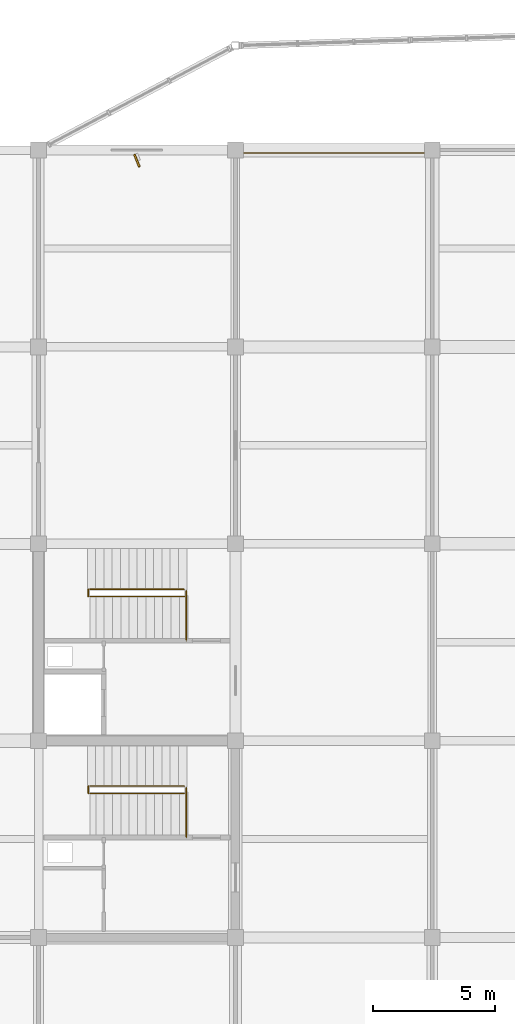
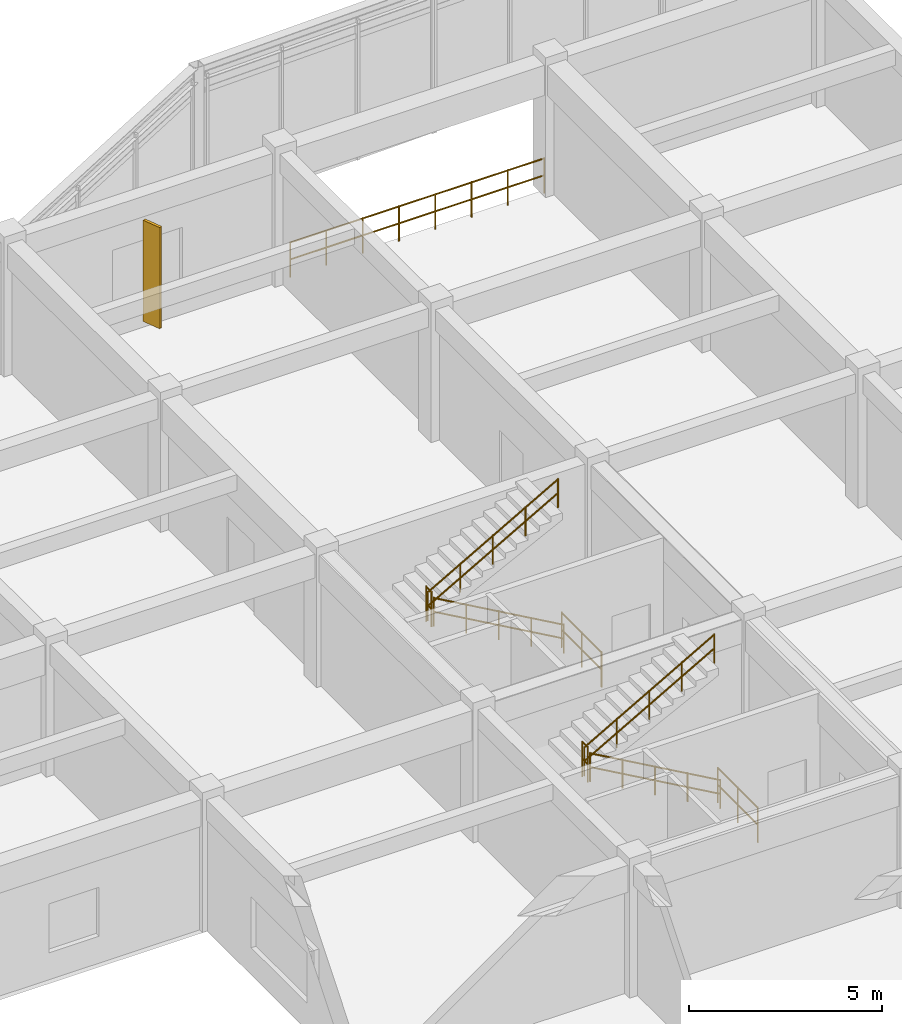
# One storey, part 42 of 42: 9 railings, 1 shading device.
"""IFC4 building model written with IfcOpenShell, lengths in metres."""

import ifcopenshell
import ifcopenshell.guid

model = None  # the IFC model being written
_history = None  # IfcOwnerHistory: only IFC2X3 demands one
_inside = {}  # id of a spatial element -> (the spatial element, [elements in it])
_under = {}  # id of a project, library or spatial element -> (it, [spatial elements below it])
_declared = {}  # id of a project -> (the project, [libraries it declares])
_typed = {}  # id of a type object -> (the type object, [elements of that type])
_made_of = {}  # id of a material, layer set ... -> (it, [elements and type objects made of it])


def new_model(schema):
    """Start an empty IFC model of exactly this schema.

    Asked for "IFC4X3", IfcOpenShell would pick the latest addendum, in which some entities
    have other attributes; the version numbers below select the first issue.
    IFC2X3 requires an IfcOwnerHistory on every rooted entity: one is made here for all.
    """
    global model, _history
    if schema == "IFC4X3":
        model = ifcopenshell.file(schema_version=(4, 3, 0, 0))
    else:
        model = ifcopenshell.file(schema=schema)
    _inside.clear()
    _under.clear()
    _declared.clear()
    _typed.clear()
    _made_of.clear()
    _history = None
    if model.schema == "IFC2X3":
        org = make("IfcOrganization", Name="unknown")
        user = make(
            "IfcPersonAndOrganization",
            ThePerson=make("IfcPerson", FamilyName="unknown"),
            TheOrganization=org,
        )
        app = make(
            "IfcApplication",
            ApplicationDeveloper=org,
            Version="unknown",
            ApplicationFullName="unknown",
            ApplicationIdentifier="unknown",
        )
        _history = make(
            "IfcOwnerHistory",
            OwningUser=user,
            OwningApplication=app,
            ChangeAction="ADDED",
            CreationDate=0,
        )
    return model


def make(cls, **values):
    """One entity of the class cls with the attributes given. An attribute that is None is left unset."""
    return model.create_entity(
        cls, **{name: value for name, value in values.items() if value is not None}
    )


def rooted(cls, **values):
    """An entity with a GlobalId (a new one), such as an element, a storey or a relation."""
    return make(cls, GlobalId=ifcopenshell.guid.new(), OwnerHistory=_history, **values)


def si_unit(unit_type, name, prefix=None):
    """IfcSIUnit, for example si_unit("LENGTHUNIT", "METRE", prefix="MILLI")."""
    return make("IfcSIUnit", UnitType=unit_type, Prefix=prefix, Name=name)


def assignment(units):
    """IfcUnitAssignment: the units of a project."""
    return None if units is None else make("IfcUnitAssignment", Units=units)


def point(xyz):
    """IfcCartesianPoint."""
    return None if xyz is None else make("IfcCartesianPoint", Coordinates=xyz)


def direction(xyz):
    """IfcDirection."""
    return None if xyz is None else make("IfcDirection", DirectionRatios=xyz)


def frame(location, z_axis=None, x_axis=None):
    """IfcAxis2Placement3D, a coordinate frame: its origin and axes. An axis left out is left unset."""
    return make(
        "IfcAxis2Placement3D",
        Location=point(location),
        Axis=direction(z_axis),
        RefDirection=direction(x_axis),
    )


def frame_2d(location, x_axis=None):
    """IfcAxis2Placement2D, a coordinate frame in the plane: its origin and x axis."""
    return make(
        "IfcAxis2Placement2D", Location=point(location), RefDirection=direction(x_axis)
    )


def origin():
    """The frame at (0, 0, 0) with its axes left unset."""
    return frame((0.0, 0.0, 0.0))


def origin_2d():
    """The frame at (0, 0) in the plane with its x axis left unset."""
    return frame_2d((0.0, 0.0))


def place(relative_to, where):
    """IfcLocalPlacement: puts the frame where relative to a parent placement (None: the world)."""
    return make(
        "IfcLocalPlacement", PlacementRelTo=relative_to, RelativePlacement=where
    )


def context(
    kind, dimensions, precision=None, world=None, true_north=None, identifier=None
):
    """IfcGeometricRepresentationContext, for example the 3D "Model" context."""
    return make(
        "IfcGeometricRepresentationContext",
        ContextIdentifier=identifier,
        ContextType=kind,
        CoordinateSpaceDimension=dimensions,
        Precision=precision,
        WorldCoordinateSystem=world,
        TrueNorth=true_north,
    )


def subcontext(parent, identifier, kind, view, scale=None):
    """IfcGeometricRepresentationSubContext, for example "Body" below "Model"."""
    return make(
        "IfcGeometricRepresentationSubContext",
        ContextIdentifier=identifier,
        ContextType=kind,
        ParentContext=parent,
        TargetScale=scale,
        TargetView=view,
    )


def project(units=None, contexts=None):
    """IfcProject with its units and contexts."""
    return rooted(
        "IfcProject",
        Name="project",
        RepresentationContexts=contexts,
        UnitsInContext=assignment(units),
    )


def spatial(cls, under=None, at=None, **own):
    """A site, building, storey or space (cls), placed at a placement, below another one or the project."""
    s = rooted(cls, ObjectPlacement=at, **own)
    if under is not None:
        _under.setdefault(under.id(), (under, []))[1].append(s)
    return s


def profile(cls, at=None, kind="AREA", **sizes):
    """A parametric profile (cls). Its sizes go by their IFC names, for example OverallWidth=200.0."""
    return make(cls, ProfileType=kind, Position=at, **sizes)


def rectangle(**sizes):
    """IfcRectangleProfileDef."""
    return profile("IfcRectangleProfileDef", **sizes)


def circle(**sizes):
    """IfcCircleProfileDef."""
    return profile("IfcCircleProfileDef", **sizes)


def extrude(swept, where, along, depth):
    """IfcExtrudedAreaSolid: the profile swept, set in the frame where, extruded along a direction by depth."""
    return make(
        "IfcExtrudedAreaSolid",
        SweptArea=swept,
        Position=where,
        ExtrudedDirection=direction(along),
        Depth=depth,
    )


def shape(context_of_items, identifier, shape_type, items):
    """IfcShapeRepresentation: the items that make up one representation, for example the "Body"."""
    return make(
        "IfcShapeRepresentation",
        ContextOfItems=context_of_items,
        RepresentationIdentifier=identifier,
        RepresentationType=shape_type,
        Items=items,
    )


def material(Name=None, Category=None):
    """IfcMaterial."""
    return make("IfcMaterial", Name=Name, Category=Category)


def made_of(thing, what):
    """Note that an element or type object is made of a material, layer set ...; save() writes the relation."""
    if what is not None:
        _made_of.setdefault(what.id(), (what, []))[1].append(thing)
    return thing


def type_object(cls, material=None, **own):
    """A type object (cls), such as IfcWallType, which elements share."""
    return made_of(rooted(cls, **own), material)


def element(
    cls,
    number,
    at=None,
    inside=None,
    cuts=None,
    type_object=None,
    material=None,
    context=None,
    identifier="Body",
    shape_type=None,
    held_by="IfcProductDefinitionShape",
    body=None,
    shapes=None,
    **own,
):
    """One element of the class cls, such as IfcWall. Its Tag is "e" and its number.

    at: its placement. inside: the storey or other place that contains it. cuts: it is an
    opening in that element (IfcRelVoidsElement). A single representation is given by context,
    identifier, shape_type and body (its items); several are given by shapes. held_by: the class
    of the entity that holds the representations. save() writes the other relations.
    """
    e = rooted(cls, Tag="e%d" % number, ObjectPlacement=at, **own)
    if body is not None:
        shapes = [shape(context, identifier, shape_type, body)]
    if shapes is not None:
        e.Representation = make(held_by, Representations=shapes)
    if inside is not None:
        _inside.setdefault(inside.id(), (inside, []))[1].append(e)
    if cuts is not None:
        rooted(
            "IfcRelVoidsElement", RelatingBuildingElement=cuts, RelatedOpeningElement=e
        )
    if type_object is not None:
        _typed.setdefault(type_object.id(), (type_object, []))[1].append(e)
    return made_of(e, material)


def aggregate(whole, parts):
    """IfcRelAggregates: a whole, such as a stair, and the parts it consists of."""
    return rooted("IfcRelAggregates", RelatingObject=whole, RelatedObjects=parts)


def save(model, path):
    """Write the relations noted so far, then the file.

    IfcRelAggregates (storeys below a building ...), IfcRelContainedInSpatialStructure (elements
    in a storey), IfcRelDefinesByType, IfcRelAssociatesMaterial and IfcRelDeclares: one each for
    every whole, place, type object, material and project.
    """
    for whole, parts in _under.values():
        aggregate(whole, parts)
    for where, things in _inside.values():
        rooted(
            "IfcRelContainedInSpatialStructure",
            RelatedElements=things,
            RelatingStructure=where,
        )
    for kind, things in _typed.values():
        rooted("IfcRelDefinesByType", RelatedObjects=things, RelatingType=kind)
    for what, things in _made_of.values():
        rooted("IfcRelAssociatesMaterial", RelatedObjects=things, RelatingMaterial=what)
    for by, libraries in _declared.values():
        rooted("IfcRelDeclares", RelatingContext=by, RelatedDefinitions=libraries)
    model.write(path)


model = new_model("IFC4")

# Units and contexts
model_context = context("Model", 3, precision=1e-05, world=origin(), true_north=direction((0.0, 1.0)))
body_context = subcontext(model_context, "Body", "Model", "MODEL_VIEW")
ifc_project = project(units=[si_unit("LENGTHUNIT", "METRE"), si_unit("AREAUNIT", "SQUARE_METRE"), si_unit("VOLUMEUNIT", "CUBIC_METRE"), si_unit("PLANEANGLEUNIT", "RADIAN"), si_unit("MASSUNIT", "GRAM", prefix="KILO")], contexts=[model_context])

# Site, building, storey
site_placement = place(None, origin())
site = spatial("IfcSite", under=ifc_project, at=site_placement, CompositionType="ELEMENT")
building_placement = place(site_placement, origin())
building = spatial("IfcBuilding", under=site, at=building_placement, Name="Vaudrelin Polytechnic", CompositionType="ELEMENT")
storey_placement = place(building_placement, frame((0.0, 0.0, 18.530029296875)))
storey = spatial("IfcBuildingStorey", under=building, at=storey_placement, Name="L04", CompositionType="ELEMENT", Elevation=18.530029296875)

# Shading device
ifc_material_1 = material(Name="Anodised perforated aluminium AA 5005", Category="aluminium")
shading_device_type = type_object("IfcShadingDeviceType", Name="ENV-SF-FIN1", PredefinedType="USERDEFINED", material=ifc_material_1)
shading_device_placement = place(storey_placement, frame((149.85009765625, 121.06494140625, 0.2001953125), z_axis=(0.0, 0.0, 1.0), x_axis=(0.374606593416, -0.927183854567, 0.0)))
element("IfcShadingDevice", 1, at=shading_device_placement, inside=storey, type_object=shading_device_type, Name="Perforated solar fin SF-034", ObjectType="SOLAR FIN", PredefinedType="USERDEFINED", context=body_context, shape_type="SweptSolid", body=[
    extrude(rectangle(XDim=0.550048828125, YDim=0.080078125, at=origin_2d()), origin(), (0.0, 0.0, 1.0), 3.199951171875),
])

# Railings
ifc_material_2 = material(Name="Brushed stainless steel AISI 304", Category="steel")
railing_type_1 = type_object("IfcRailingType", Name="RAL-GR-INT", PredefinedType="GUARDRAIL", material=ifc_material_2)
railing_1_placement = place(storey_placement, frame((151.8798828125, 101.31005859375, 0.0)))
element("IfcRailing", 2, at=railing_1_placement, inside=storey, type_object=railing_type_1, Name="ST-06-L03 upper well guardrail", PredefinedType="GUARDRAIL", context=body_context, shape_type="SweptSolid", body=[
    extrude(circle(Radius=0.02392578125, at=origin_2d()), frame((0.0, 0.023193359375, 1.09619140625), z_axis=(0.0, 1.0, 0.0), x_axis=(-1.0, 0.0, 0.0)), (0.0, 0.0, 1.0), 2.023681640625),
    extrude(circle(Radius=0.02392578125, at=origin_2d()), frame((0.0, 0.023193359375, 0.56005859375), z_axis=(0.0, 1.0, 0.0), x_axis=(-1.0, 0.0, 0.0)), (0.0, 0.0, 1.0), 2.023681640625),
    extrude(circle(Radius=0.02099609375, at=origin_2d()), origin(), (0.0, 0.0, 1.0), 1.1201171875),
    extrude(circle(Radius=0.02099609375, at=origin_2d()), frame((0.0, 1.034912109375, 0.0)), (0.0, 0.0, 1.0), 1.1201171875),
    extrude(circle(Radius=0.02099609375, at=origin_2d()), frame((0.0, 2.06982421875, 0.0)), (0.0, 0.0, 1.0), 1.1201171875),
])
railing_2_placement = place(storey_placement, frame((147.85009765625, 103.139892578125, 2.2099609375)))
element("IfcRailing", 3, at=railing_2_placement, inside=storey, type_object=railing_type_1, Name="ST-06-L04 landing well guardrail", PredefinedType="GUARDRAIL", context=body_context, shape_type="SweptSolid", body=[
    extrude(circle(Radius=0.02392578125, at=origin_2d()), frame((0.0, 0.023193359375, 1.09619140625), z_axis=(0.0, 1.0, 0.0), x_axis=(-1.0, 0.0, 0.0)), (0.0, 0.0, 1.0), 0.23388671875),
    extrude(circle(Radius=0.02392578125, at=origin_2d()), frame((0.0, 0.023193359375, 0.56005859375), z_axis=(0.0, 1.0, 0.0), x_axis=(-1.0, 0.0, 0.0)), (0.0, 0.0, 1.0), 0.23388671875),
    extrude(circle(Radius=0.02099609375, at=origin_2d()), origin(), (0.0, 0.0, 1.0), 1.1201171875),
    extrude(circle(Radius=0.02099609375, at=origin_2d()), frame((0.0, 0.280029296875, 0.0)), (0.0, 0.0, 1.0), 1.1201171875),
])
railing_3_placement = place(storey_placement, frame((151.8798828125, 93.2099609375, 0.0)))
element("IfcRailing", 4, at=railing_3_placement, inside=storey, type_object=railing_type_1, Name="ST-13-L03 upper well guardrail", PredefinedType="GUARDRAIL", context=body_context, shape_type="SweptSolid", body=[
    extrude(circle(Radius=0.02392578125, at=origin_2d()), frame((0.0, 0.023193359375, 1.09619140625), z_axis=(0.0, 1.0, 0.0), x_axis=(-1.0, 0.0, 0.0)), (0.0, 0.0, 1.0), 2.02392578125),
    extrude(circle(Radius=0.02392578125, at=origin_2d()), frame((0.0, 0.023193359375, 0.56005859375), z_axis=(0.0, 1.0, 0.0), x_axis=(-1.0, 0.0, 0.0)), (0.0, 0.0, 1.0), 2.02392578125),
    extrude(circle(Radius=0.02099609375, at=origin_2d()), origin(), (0.0, 0.0, 1.0), 1.1201171875),
    extrude(circle(Radius=0.02099609375, at=origin_2d()), frame((0.0, 1.03515625, 0.0)), (0.0, 0.0, 1.0), 1.1201171875),
    extrude(circle(Radius=0.02099609375, at=origin_2d()), frame((0.0, 2.070068359375, 0.0)), (0.0, 0.0, 1.0), 1.1201171875),
])
railing_4_placement = place(storey_placement, frame((147.85009765625, 95.0400390625, 2.2099609375)))
element("IfcRailing", 5, at=railing_4_placement, inside=storey, type_object=railing_type_1, Name="ST-13-L04 landing well guardrail", PredefinedType="GUARDRAIL", context=body_context, shape_type="SweptSolid", body=[
    extrude(circle(Radius=0.02392578125, at=origin_2d()), frame((0.0, 0.023193359375, 1.09619140625), z_axis=(0.0, 1.0, 0.0), x_axis=(-1.0, 0.0, 0.0)), (0.0, 0.0, 1.0), 0.23388671875),
    extrude(circle(Radius=0.02392578125, at=origin_2d()), frame((0.0, 0.023193359375, 0.56005859375), z_axis=(0.0, 1.0, 0.0), x_axis=(-1.0, 0.0, 0.0)), (0.0, 0.0, 1.0), 0.23388671875),
    extrude(circle(Radius=0.02099609375, at=origin_2d()), origin(), (0.0, 0.0, 1.0), 1.1201171875),
    extrude(circle(Radius=0.02099609375, at=origin_2d()), frame((0.0, 0.280029296875, 0.0)), (0.0, 0.0, 1.0), 1.1201171875),
])
railing_5_placement = place(storey_placement, frame((154.14990234375, 121.3798828125, 0.0)))
element("IfcRailing", 6, at=railing_5_placement, inside=storey, type_object=railing_type_1, Name="NE innovation prow atrium overlook guardrail L04", PredefinedType="GUARDRAIL", context=body_context, shape_type="SweptSolid", body=[
    extrude(circle(Radius=0.02392578125, at=origin_2d()), frame((0.023193359375, 0.0, 1.09619140625), z_axis=(1.0, 0.0, 0.0), x_axis=(0.0, 1.0, 0.0)), (0.0, 0.0, 1.0), 7.553955078125),
    extrude(circle(Radius=0.02392578125, at=origin_2d()), frame((0.023193359375, 0.0, 0.56005859375), z_axis=(1.0, 0.0, 0.0), x_axis=(0.0, 1.0, 0.0)), (0.0, 0.0, 1.0), 7.553955078125),
    extrude(circle(Radius=0.02099609375, at=origin_2d()), origin(), (0.0, 0.0, 1.0), 1.1201171875),
    extrude(circle(Radius=0.02099609375, at=origin_2d()), frame((1.085693359375, 0.0, 0.0)), (0.0, 0.0, 1.0), 1.1201171875),
    extrude(circle(Radius=0.02099609375, at=origin_2d()), frame((2.17138671875, 0.0, 0.0)), (0.0, 0.0, 1.0), 1.1201171875),
    extrude(circle(Radius=0.02099609375, at=origin_2d()), frame((3.257080078125, 0.0, 0.0)), (0.0, 0.0, 1.0), 1.1201171875),
    extrude(circle(Radius=0.02099609375, at=origin_2d()), frame((4.343017578125, 0.0, 0.0)), (0.0, 0.0, 1.0), 1.1201171875),
    extrude(circle(Radius=0.02099609375, at=origin_2d()), frame((5.4287109375, 0.0, 0.0)), (0.0, 0.0, 1.0), 1.1201171875),
    extrude(circle(Radius=0.02099609375, at=origin_2d()), frame((6.514404296875, 0.0, 0.0)), (0.0, 0.0, 1.0), 1.1201171875),
    extrude(circle(Radius=0.02099609375, at=origin_2d()), frame((7.60009765625, 0.0, 0.0)), (0.0, 0.0, 1.0), 1.1201171875),
])
railing_type_2 = type_object("IfcRailingType", Name="RAL-HR-STR", PredefinedType="HANDRAIL", material=ifc_material_2)
railing_6_placement = place(storey_placement, frame((151.800048828125, 103.1298828125, 0.0)))
element("IfcRailing", 7, at=railing_6_placement, inside=storey, type_object=railing_type_2, Name="ST-06-L04 flight 1 handrail", PredefinedType="HANDRAIL", context=body_context, shape_type="SweptSolid", body=[
    extrude(circle(Radius=0.02392578125, at=origin_2d()), frame((-0.02001953125, 0.0, 0.9072265625), z_axis=(-0.869489581884, 0.0, 0.493951279981), x_axis=(0.0, -1.0, 0.0)), (0.0, 0.0, 1.0), 4.427734375),
    extrude(circle(Radius=0.02392578125, at=origin_2d()), frame((-0.02001953125, 0.0, 0.471435546875), z_axis=(-0.869489581884, 0.0, 0.493951279981), x_axis=(0.0, -1.0, 0.0)), (0.0, 0.0, 1.0), 4.427734375),
    extrude(circle(Radius=0.02099609375, at=origin_2d()), origin(), (0.0, 0.0, 1.0), 0.919921875),
    extrude(circle(Radius=0.02099609375, at=origin_2d()), frame((-0.97265625, 0.0, 0.552490234375)), (0.0, 0.0, 1.0), 0.919921875),
    extrude(circle(Radius=0.02099609375, at=origin_2d()), frame((-1.945068359375, 0.0, 1.10498046875)), (0.0, 0.0, 1.0), 0.919921875),
    extrude(circle(Radius=0.02099609375, at=origin_2d()), frame((-2.91748046875, 0.0, 1.657470703125)), (0.0, 0.0, 1.0), 0.919921875),
    extrude(circle(Radius=0.02099609375, at=origin_2d()), frame((-3.89013671875, 0.0, 2.2099609375)), (0.0, 0.0, 1.0), 0.919921875),
])
railing_7_placement = place(storey_placement, frame((147.909912109375, 103.429931640625, 2.2099609375)))
element("IfcRailing", 8, at=railing_7_placement, inside=storey, type_object=railing_type_2, Name="ST-06-L04 flight 2 handrail", PredefinedType="HANDRAIL", context=body_context, shape_type="SweptSolid", body=[
    extrude(circle(Radius=0.02392578125, at=origin_2d()), frame((0.02001953125, 0.0, 0.9072265625), z_axis=(0.869489581884, 0.0, 0.493951279981), x_axis=(0.0, 1.0, 0.0)), (0.0, 0.0, 1.0), 4.427734375),
    extrude(circle(Radius=0.02392578125, at=origin_2d()), frame((0.02001953125, 0.0, 0.471435546875), z_axis=(0.869489581884, 0.0, 0.493951279981), x_axis=(0.0, 1.0, 0.0)), (0.0, 0.0, 1.0), 4.427734375),
    extrude(circle(Radius=0.02099609375, at=origin_2d()), origin(), (0.0, 0.0, 1.0), 0.919921875),
    extrude(circle(Radius=0.02099609375, at=origin_2d()), frame((0.97265625, 0.0, 0.552490234375)), (0.0, 0.0, 1.0), 0.919921875),
    extrude(circle(Radius=0.02099609375, at=origin_2d()), frame((1.945068359375, 0.0, 1.10498046875)), (0.0, 0.0, 1.0), 0.919921875),
    extrude(circle(Radius=0.02099609375, at=origin_2d()), frame((2.91748046875, 0.0, 1.657470703125)), (0.0, 0.0, 1.0), 0.919921875),
    extrude(circle(Radius=0.02099609375, at=origin_2d()), frame((3.89013671875, 0.0, 2.2099609375)), (0.0, 0.0, 1.0), 0.919921875),
])
railing_8_placement = place(storey_placement, frame((151.800048828125, 95.030029296875, 0.0)))
element("IfcRailing", 9, at=railing_8_placement, inside=storey, type_object=railing_type_2, Name="ST-13-L04 flight 1 handrail", PredefinedType="HANDRAIL", context=body_context, shape_type="SweptSolid", body=[
    extrude(circle(Radius=0.02392578125, at=origin_2d()), frame((-0.02001953125, 0.0, 0.9072265625), z_axis=(-0.869489581884, 0.0, 0.493951279981), x_axis=(0.0, -1.0, 0.0)), (0.0, 0.0, 1.0), 4.427734375),
    extrude(circle(Radius=0.02392578125, at=origin_2d()), frame((-0.02001953125, 0.0, 0.471435546875), z_axis=(-0.869489581884, 0.0, 0.493951279981), x_axis=(0.0, -1.0, 0.0)), (0.0, 0.0, 1.0), 4.427734375),
    extrude(circle(Radius=0.02099609375, at=origin_2d()), origin(), (0.0, 0.0, 1.0), 0.919921875),
    extrude(circle(Radius=0.02099609375, at=origin_2d()), frame((-0.97265625, 0.0, 0.552490234375)), (0.0, 0.0, 1.0), 0.919921875),
    extrude(circle(Radius=0.02099609375, at=origin_2d()), frame((-1.945068359375, 0.0, 1.10498046875)), (0.0, 0.0, 1.0), 0.919921875),
    extrude(circle(Radius=0.02099609375, at=origin_2d()), frame((-2.91748046875, 0.0, 1.657470703125)), (0.0, 0.0, 1.0), 0.919921875),
    extrude(circle(Radius=0.02099609375, at=origin_2d()), frame((-3.89013671875, 0.0, 2.2099609375)), (0.0, 0.0, 1.0), 0.919921875),
])
railing_9_placement = place(storey_placement, frame((147.909912109375, 95.330078125, 2.2099609375)))
element("IfcRailing", 10, at=railing_9_placement, inside=storey, type_object=railing_type_2, Name="ST-13-L04 flight 2 handrail", PredefinedType="HANDRAIL", context=body_context, shape_type="SweptSolid", body=[
    extrude(circle(Radius=0.02392578125, at=origin_2d()), frame((0.02001953125, 0.0, 0.9072265625), z_axis=(0.869489581884, 0.0, 0.493951279981), x_axis=(0.0, 1.0, 0.0)), (0.0, 0.0, 1.0), 4.427734375),
    extrude(circle(Radius=0.02392578125, at=origin_2d()), frame((0.02001953125, 0.0, 0.471435546875), z_axis=(0.869489581884, 0.0, 0.493951279981), x_axis=(0.0, 1.0, 0.0)), (0.0, 0.0, 1.0), 4.427734375),
    extrude(circle(Radius=0.02099609375, at=origin_2d()), origin(), (0.0, 0.0, 1.0), 0.919921875),
    extrude(circle(Radius=0.02099609375, at=origin_2d()), frame((0.97265625, 0.0, 0.552490234375)), (0.0, 0.0, 1.0), 0.919921875),
    extrude(circle(Radius=0.02099609375, at=origin_2d()), frame((1.945068359375, 0.0, 1.10498046875)), (0.0, 0.0, 1.0), 0.919921875),
    extrude(circle(Radius=0.02099609375, at=origin_2d()), frame((2.91748046875, 0.0, 1.657470703125)), (0.0, 0.0, 1.0), 0.919921875),
    extrude(circle(Radius=0.02099609375, at=origin_2d()), frame((3.89013671875, 0.0, 2.2099609375)), (0.0, 0.0, 1.0), 0.919921875),
])

save(model, "model.ifc")
